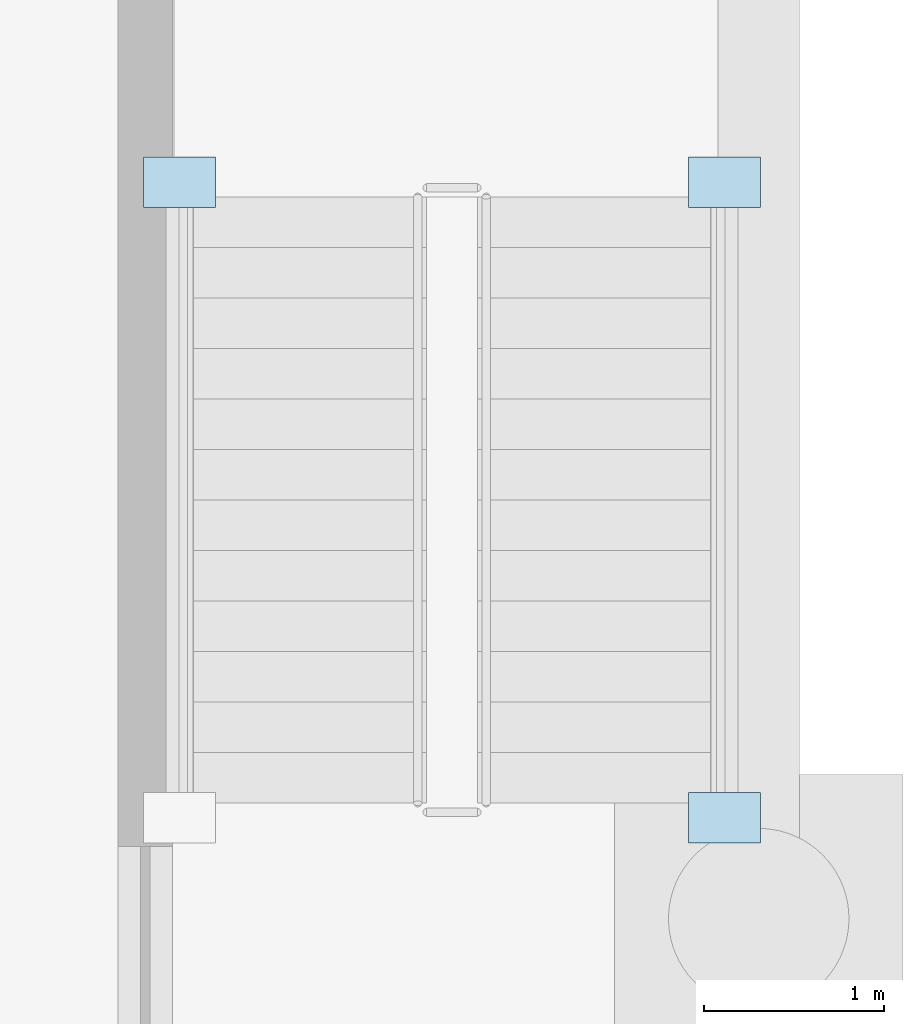
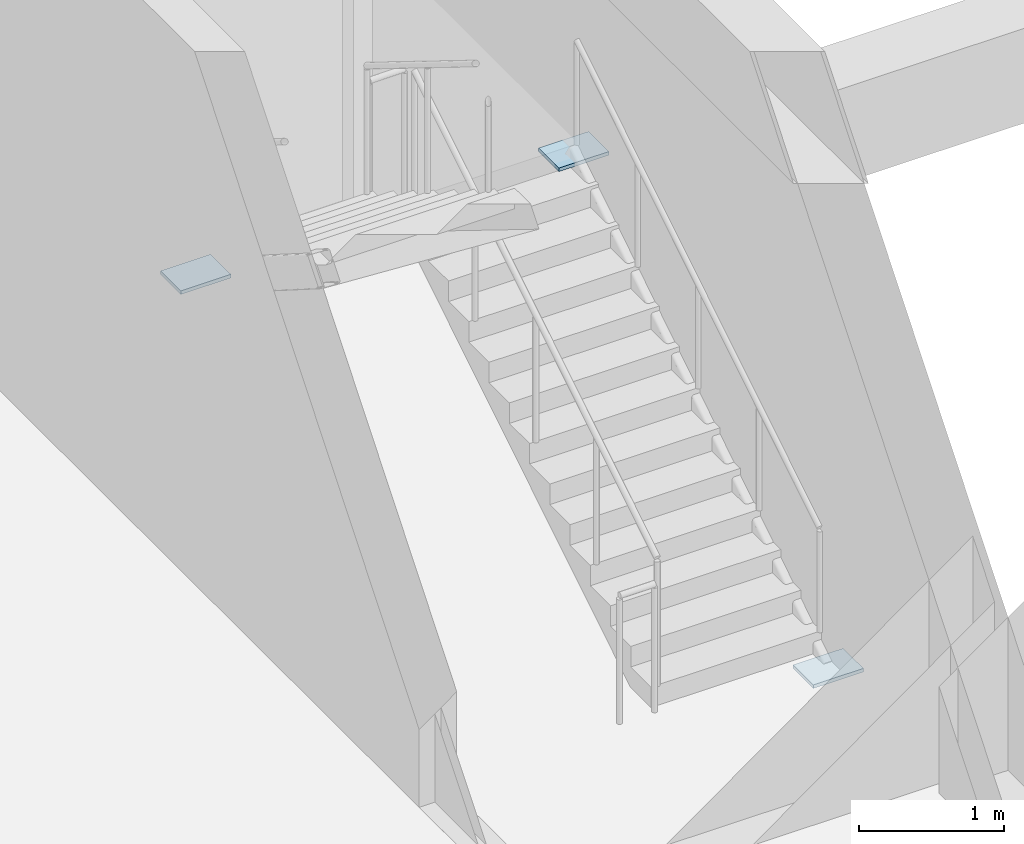
# One storey, part 21 of 41: 3 plates.
"""IFC4 building model written with IfcOpenShell, lengths in metres."""

from ifc_helpers import new_model, si_unit, direction, frame, origin, origin_2d, place, context, subcontext, project, spatial, rectangle, extrude, material, layer, layer_set, type_object, element, save


model = new_model("IFC4")

# Units and contexts
model_context = context("Model", 3, precision=1e-05, world=origin(), true_north=direction((0.0, 1.0)))
body_context = subcontext(model_context, "Body", "Model", "MODEL_VIEW")
ifc_project = project(units=[si_unit("LENGTHUNIT", "METRE"), si_unit("AREAUNIT", "SQUARE_METRE"), si_unit("VOLUMEUNIT", "CUBIC_METRE"), si_unit("PLANEANGLEUNIT", "RADIAN"), si_unit("MASSUNIT", "GRAM", prefix="KILO")], contexts=[model_context])

# Site, building, storey
site_placement = place(None, origin())
site = spatial("IfcSite", under=ifc_project, at=site_placement, CompositionType="ELEMENT")
building_placement = place(site_placement, origin())
building = spatial("IfcBuilding", under=site, at=building_placement, Name="Kemercrest Conservatory and Botanical Centre", CompositionType="ELEMENT")
storey_placement = place(building_placement, frame((0.0, 0.0, -4.5)))
storey = spatial("IfcBuildingStorey", under=building, at=storey_placement, Name="B1", CompositionType="ELEMENT", Elevation=-4.5)

# Plates
ifc_material = material(Name="Steel CSA G40.21 350W", Category="steel")
ifc_layer = layer(ifc_material, 0.030029296875)
ifc_layer_set = layer_set([ifc_layer], Name="Steel CSA G40.21 350W")
plate_type = type_object("IfcPlateType", Name="GN-05", PredefinedType="USERDEFINED", material=ifc_layer_set)
for number, where, z_axis, x_axis, name in (
    (1, (100.2099609375, 36.56005859375, -0.115234375), (0.0, 0.0, 1.0), (1.0, 0.0, 0.0), "Stair stringer base node cap GN-05 #15"),
    (2, (100.2099609375, 40.080078125, 2.11474609375), (0.0, 0.0, 1.0), (1.0, 0.0, 0.0), "Stair stringer head node cap GN-05 #15"),
    (3, (97.18994140625, 40.080078125, 2.134765625), (0.0, 0.0, 1.0), (1.0, 0.0, 0.0), "Stair stringer head node cap GN-05 #16"),
):
    element("IfcPlate", number, at=place(storey_placement, frame(where, z_axis=z_axis, x_axis=x_axis)), inside=storey, type_object=plate_type, Name=name, ObjectType="GUSSET PLATE", PredefinedType="USERDEFINED", context=body_context, shape_type="SweptSolid", body=[
        extrude(rectangle(XDim=0.39990234375, YDim=0.280029296875, at=origin_2d()), origin(), (0.0, 0.0, 1.0), 0.030029296875),
    ])

save(model, "model.ifc")
